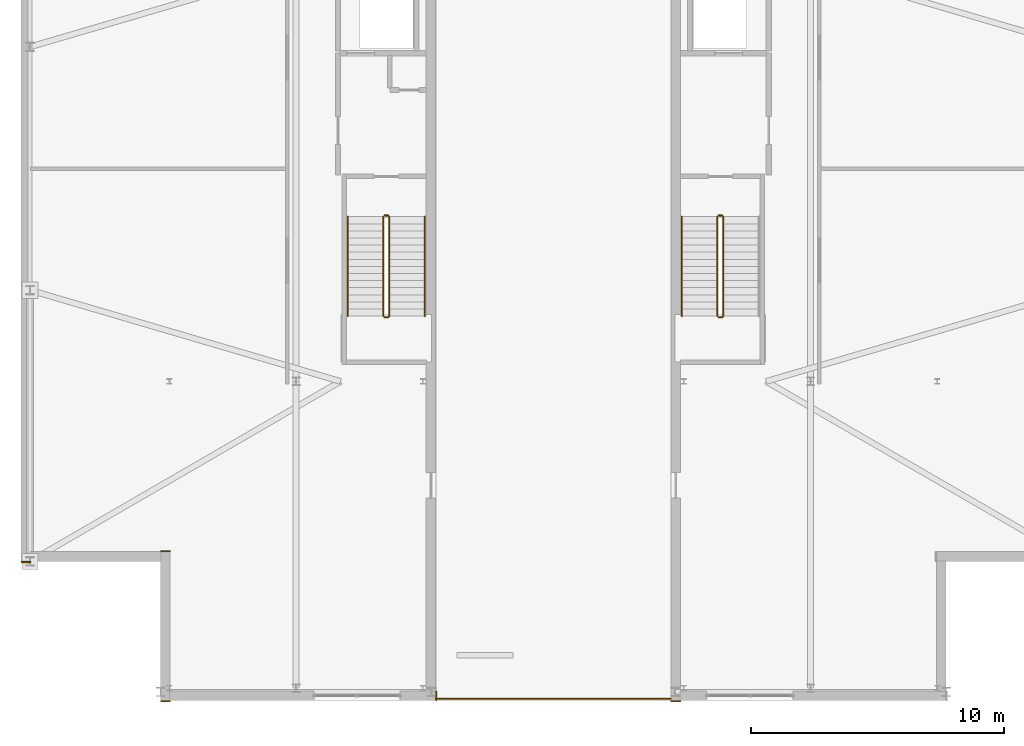
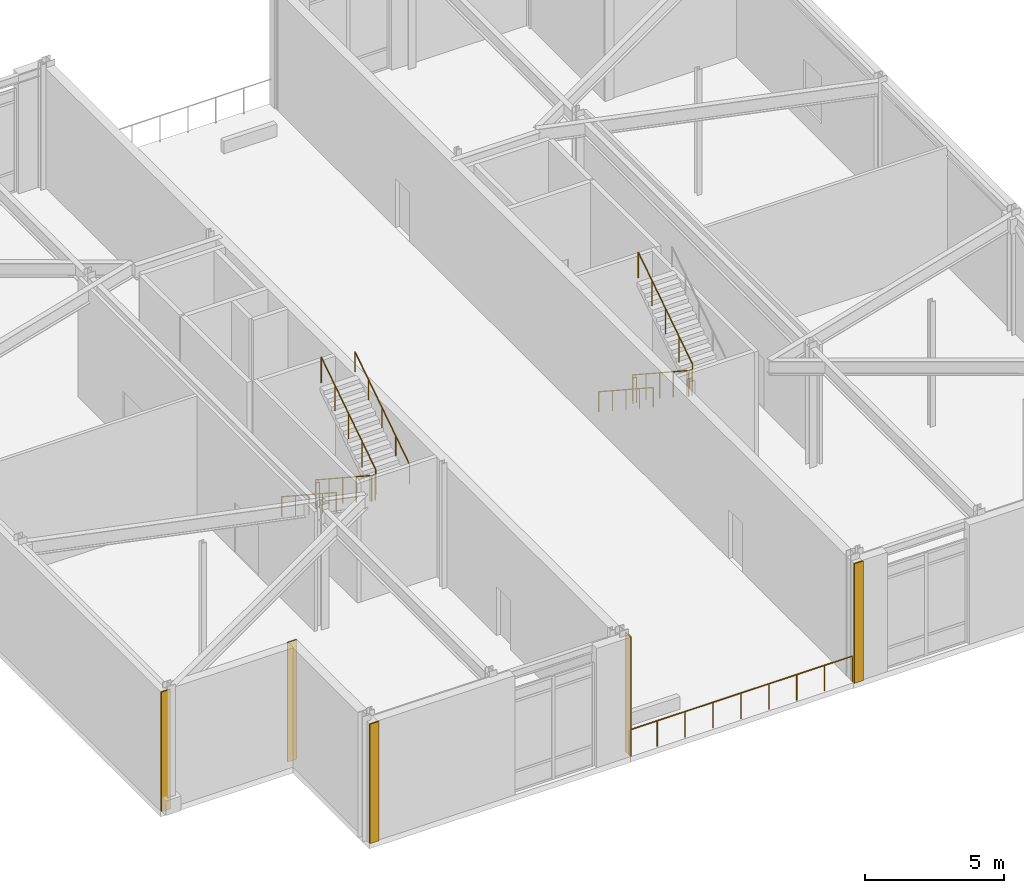
# One storey, part 14 of 16: 12 railings, 5 coverings.
"""IFC4 building model written with IfcOpenShell, lengths in metres."""

from ifc_helpers import new_model, si_unit, direction, frame, frame_2d, origin, origin_2d, place, context, subcontext, project, spatial, rectangle, circle, extrude, material, layer, layer_set, type_object, element, save


model = new_model("IFC4")

# Units and contexts
model_context = context("Model", 3, precision=1e-05, world=origin(), true_north=direction((0.0, 1.0)))
body_context = subcontext(model_context, "Body", "Model", "MODEL_VIEW")
ifc_project = project(units=[si_unit("LENGTHUNIT", "METRE"), si_unit("AREAUNIT", "SQUARE_METRE"), si_unit("VOLUMEUNIT", "CUBIC_METRE"), si_unit("PLANEANGLEUNIT", "RADIAN"), si_unit("MASSUNIT", "GRAM", prefix="KILO")], contexts=[model_context])

# Site, building, storey
site_placement = place(None, origin())
site = spatial("IfcSite", under=ifc_project, at=site_placement, CompositionType="ELEMENT")
building_placement = place(site_placement, origin())
building = spatial("IfcBuilding", under=site, at=building_placement, Name="Cairnveth Concourse Tower", CompositionType="ELEMENT")
storey_placement = place(building_placement, frame((0.0, 0.0, 324.5)))
storey = spatial("IfcBuildingStorey", under=building, at=storey_placement, Name="L89", CompositionType="ELEMENT", Elevation=324.5)

# Coverings
ifc_material_1 = material(Name="Dressed Melbourne Bluestone Cladding", Category="masonry")
ifc_layer = layer(ifc_material_1, 0.050048828125)
ifc_layer_set = layer_set([ifc_layer], Name="Dressed Melbourne Bluestone Cladding")
covering_type = type_object("IfcCoveringType", Name="DRESSED BLUESTONE PLINTH CLADDING 50", PredefinedType="CLADDING", material=ifc_layer_set)
for number, where, z_axis, x_axis, name in (
    (1, (36.8798828125, 17.97998046875, 0.0), (0.0, 0.0, 1.0), (-1.0, 0.0, 0.0), "Melbourne Bluestone Corner Quoin L89-1355"),
    (2, (36.8798828125, 23.89990234375, 0.0), (0.0, 0.0, 1.0), (-1.0, 0.0, 0.0), "Melbourne Bluestone Corner Quoin L89-1356"),
    (3, (31.3798828125, 23.47998046875, 0.0), (0.0, 0.0, 1.0), (-1.0, 0.0, 0.0), "Melbourne Bluestone Corner Quoin L89-1357"),
    (4, (47.3798828125, 18.3798828125, 0.0), (0.0, 0.0, 1.0), (0.0, -1.0, 0.0), "Melbourne Bluestone Corner Quoin L89-1362"),
):
    element("IfcCovering", number, at=place(storey_placement, frame(where, z_axis=z_axis, x_axis=x_axis)), inside=storey, type_object=covering_type, Name=name, PredefinedType="CLADDING", context=body_context, shape_type="SweptSolid", body=[
        extrude(rectangle(XDim=0.3798828125, YDim=0.050048828125, at=frame_2d((0.18994140625, 0.0))), origin(), (0.0, 0.0, 1.0), 5.25),
    ])
covering_placement = place(storey_placement, frame((57.02001953125, 17.97998046875, 0.0), z_axis=(0.0, 0.0, 1.0), x_axis=(-1.0, 0.0, 0.0)))
element("IfcCovering", 5, at=covering_placement, inside=storey, type_object=covering_type, Name="Melbourne Bluestone Corner Quoin L89-1363", PredefinedType="CLADDING", context=body_context, shape_type="SweptSolid", body=[
    extrude(rectangle(XDim=0.380126953125, YDim=0.050048828125, at=frame_2d((0.18994140625, 0.0))), origin(), (0.0, 0.0, 1.0), 5.25),
])

# Railings
ifc_material_2 = material(Name="Steel Grade 350", Category="steel")
railing_type_1 = type_object("IfcRailingType", Name="STAIR GUARDRAIL 1150", PredefinedType="GUARDRAIL", material=ifc_material_2)
railing_1_placement = place(storey_placement, frame((45.2900390625, 37.10009765625, 0.183349609375)))
element("IfcRailing", 6, at=railing_1_placement, inside=storey, type_object=railing_type_1, Name="L89 ST-1 stair guard 1", PredefinedType="GUARDRAIL", context=body_context, shape_type="SweptSolid", body=[
    extrude(circle(Radius=0.02392578125, at=origin_2d()), frame((0.0, 0.0, 1.1259765625), z_axis=(0.0, -0.836630751959, 0.54776727255), x_axis=(1.0, 0.0, 0.0)), (0.0, 0.0, 1.0), 4.685546875),
    extrude(circle(Radius=0.02099609375, at=origin_2d()), origin(), (0.0, 0.0, 1.0), 1.101806640625),
    extrude(circle(Radius=0.02099609375, at=origin_2d()), frame((0.0, -0.97998046875, 0.6416015625)), (0.0, 0.0, 1.0), 1.101806640625),
    extrude(circle(Radius=0.02099609375, at=origin_2d()), frame((0.0, -1.9599609375, 1.283203125)), (0.0, 0.0, 1.0), 1.101806640625),
    extrude(circle(Radius=0.02099609375, at=origin_2d()), frame((0.0, -2.940185546875, 1.925048828125)), (0.0, 0.0, 1.0), 1.101806640625),
    extrude(circle(Radius=0.02099609375, at=origin_2d()), frame((0.0, -3.920166015625, 2.566650390625)), (0.0, 0.0, 1.0), 1.101806640625),
])
railing_2_placement = place(storey_placement, frame((45.340087890625, 33.1298828125, 2.75)))
element("IfcRailing", 7, at=railing_2_placement, inside=storey, type_object=railing_type_1, Name="L89 ST-1 stair guard 2", PredefinedType="GUARDRAIL", context=body_context, shape_type="SweptSolid", body=[
    extrude(circle(Radius=0.02392578125, at=origin_2d()), frame((0.0, 0.0, 1.1259765625), z_axis=(1.0, 0.0, 0.0), x_axis=(0.0, 1.0, 0.0)), (0.0, 0.0, 1.0), 0.139892578125),
    extrude(circle(Radius=0.02099609375, at=origin_2d()), origin(), (0.0, 0.0, 1.0), 1.101806640625),
    extrude(circle(Radius=0.02099609375, at=origin_2d()), frame((0.139892578125, 0.0, 0.0)), (0.0, 0.0, 1.0), 1.101806640625),
])
railing_3_placement = place(storey_placement, frame((45.530029296875, 33.179931640625, 2.933349609375)))
element("IfcRailing", 8, at=railing_3_placement, inside=storey, type_object=railing_type_1, Name="L89 ST-1 stair guard 3", PredefinedType="GUARDRAIL", context=body_context, shape_type="SweptSolid", body=[
    extrude(circle(Radius=0.02392578125, at=origin_2d()), frame((0.0, 0.0, 1.1259765625), z_axis=(0.0, 0.836630751959, 0.54776727255), x_axis=(-1.0, 0.0, 0.0)), (0.0, 0.0, 1.0), 4.685546875),
    extrude(circle(Radius=0.02099609375, at=origin_2d()), origin(), (0.0, 0.0, 1.0), 1.101806640625),
    extrude(circle(Radius=0.02099609375, at=origin_2d()), frame((0.0, 0.97998046875, 0.6416015625)), (0.0, 0.0, 1.0), 1.101806640625),
    extrude(circle(Radius=0.02099609375, at=origin_2d()), frame((0.0, 1.9599609375, 1.283203125)), (0.0, 0.0, 1.0), 1.101806640625),
    extrude(circle(Radius=0.02099609375, at=origin_2d()), frame((0.0, 2.940185546875, 1.925048828125)), (0.0, 0.0, 1.0), 1.101806640625),
    extrude(circle(Radius=0.02099609375, at=origin_2d()), frame((0.0, 3.920166015625, 2.566650390625)), (0.0, 0.0, 1.0), 1.101806640625),
])
railing_4_placement = place(storey_placement, frame((45.340087890625, 37.14990234375, 0.0)))
element("IfcRailing", 9, at=railing_4_placement, inside=storey, type_object=railing_type_1, Name="L89 ST-1 stair guard 4", PredefinedType="GUARDRAIL", context=body_context, shape_type="SweptSolid", body=[
    extrude(circle(Radius=0.02392578125, at=origin_2d()), frame((0.0, 0.0, 1.1259765625), z_axis=(1.0, 0.0, 0.0), x_axis=(0.0, 1.0, 0.0)), (0.0, 0.0, 1.0), 0.139892578125),
    extrude(circle(Radius=0.02099609375, at=origin_2d()), origin(), (0.0, 0.0, 1.0), 1.101806640625),
    extrude(circle(Radius=0.02099609375, at=origin_2d()), frame((0.139892578125, 0.0, 0.0)), (0.0, 0.0, 1.0), 1.101806640625),
])
railing_5_placement = place(storey_placement, frame((58.469970703125, 37.10009765625, 0.183349609375)))
element("IfcRailing", 10, at=railing_5_placement, inside=storey, type_object=railing_type_1, Name="L89 ST-2 stair guard 1", PredefinedType="GUARDRAIL", context=body_context, shape_type="SweptSolid", body=[
    extrude(circle(Radius=0.02392578125, at=origin_2d()), frame((0.0, 0.0, 1.1259765625), z_axis=(0.0, -0.836630751959, 0.54776727255), x_axis=(1.0, 0.0, 0.0)), (0.0, 0.0, 1.0), 4.685546875),
    extrude(circle(Radius=0.02099609375, at=origin_2d()), origin(), (0.0, 0.0, 1.0), 1.101806640625),
    extrude(circle(Radius=0.02099609375, at=origin_2d()), frame((0.0, -0.97998046875, 0.6416015625)), (0.0, 0.0, 1.0), 1.101806640625),
    extrude(circle(Radius=0.02099609375, at=origin_2d()), frame((0.0, -1.9599609375, 1.283203125)), (0.0, 0.0, 1.0), 1.101806640625),
    extrude(circle(Radius=0.02099609375, at=origin_2d()), frame((0.0, -2.940185546875, 1.925048828125)), (0.0, 0.0, 1.0), 1.101806640625),
    extrude(circle(Radius=0.02099609375, at=origin_2d()), frame((0.0, -3.920166015625, 2.566650390625)), (0.0, 0.0, 1.0), 1.101806640625),
])
railing_6_placement = place(storey_placement, frame((58.52001953125, 33.1298828125, 2.75)))
element("IfcRailing", 11, at=railing_6_placement, inside=storey, type_object=railing_type_1, Name="L89 ST-2 stair guard 2", PredefinedType="GUARDRAIL", context=body_context, shape_type="SweptSolid", body=[
    extrude(circle(Radius=0.02392578125, at=origin_2d()), frame((0.0, 0.0, 1.1259765625), z_axis=(1.0, 0.0, 0.0), x_axis=(0.0, 1.0, 0.0)), (0.0, 0.0, 1.0), 0.139892578125),
    extrude(circle(Radius=0.02099609375, at=origin_2d()), origin(), (0.0, 0.0, 1.0), 1.101806640625),
    extrude(circle(Radius=0.02099609375, at=origin_2d()), frame((0.139892578125, 0.0, 0.0)), (0.0, 0.0, 1.0), 1.101806640625),
])
railing_7_placement = place(storey_placement, frame((58.7099609375, 33.179931640625, 2.933349609375)))
element("IfcRailing", 12, at=railing_7_placement, inside=storey, type_object=railing_type_1, Name="L89 ST-2 stair guard 3", PredefinedType="GUARDRAIL", context=body_context, shape_type="SweptSolid", body=[
    extrude(circle(Radius=0.02392578125, at=origin_2d()), frame((0.0, 0.0, 1.1259765625), z_axis=(0.0, 0.836630751959, 0.54776727255), x_axis=(-1.0, 0.0, 0.0)), (0.0, 0.0, 1.0), 4.685546875),
    extrude(circle(Radius=0.02099609375, at=origin_2d()), origin(), (0.0, 0.0, 1.0), 1.101806640625),
    extrude(circle(Radius=0.02099609375, at=origin_2d()), frame((0.0, 0.97998046875, 0.6416015625)), (0.0, 0.0, 1.0), 1.101806640625),
    extrude(circle(Radius=0.02099609375, at=origin_2d()), frame((0.0, 1.9599609375, 1.283203125)), (0.0, 0.0, 1.0), 1.101806640625),
    extrude(circle(Radius=0.02099609375, at=origin_2d()), frame((0.0, 2.940185546875, 1.925048828125)), (0.0, 0.0, 1.0), 1.101806640625),
    extrude(circle(Radius=0.02099609375, at=origin_2d()), frame((0.0, 3.920166015625, 2.566650390625)), (0.0, 0.0, 1.0), 1.101806640625),
])
railing_8_placement = place(storey_placement, frame((58.52001953125, 37.14990234375, 0.0)))
element("IfcRailing", 13, at=railing_8_placement, inside=storey, type_object=railing_type_1, Name="L89 ST-2 stair guard 4", PredefinedType="GUARDRAIL", context=body_context, shape_type="SweptSolid", body=[
    extrude(circle(Radius=0.02392578125, at=origin_2d()), frame((0.0, 0.0, 1.1259765625), z_axis=(1.0, 0.0, 0.0), x_axis=(0.0, 1.0, 0.0)), (0.0, 0.0, 1.0), 0.139892578125),
    extrude(circle(Radius=0.02099609375, at=origin_2d()), origin(), (0.0, 0.0, 1.0), 1.101806640625),
    extrude(circle(Radius=0.02099609375, at=origin_2d()), frame((0.139892578125, 0.0, 0.0)), (0.0, 0.0, 1.0), 1.101806640625),
])
railing_type_2 = type_object("IfcRailingType", Name="STAIR WALL HANDRAIL 900", PredefinedType="HANDRAIL", material=ifc_material_2)
railing_9_placement = place(storey_placement, frame((43.889892578125, 37.10009765625, 0.183349609375)))
element("IfcRailing", 14, at=railing_9_placement, inside=storey, type_object=railing_type_2, Name="L89 ST-1 stair handrail 1", PredefinedType="HANDRAIL", context=body_context, shape_type="SweptSolid", body=[
    extrude(circle(Radius=0.02392578125, at=origin_2d()), frame((0.0, 0.0, 0.8759765625), z_axis=(0.0, -0.836630751959, 0.54776727255), x_axis=(1.0, 0.0, 0.0)), (0.0, 0.0, 1.0), 4.685546875),
    extrude(circle(Radius=0.02099609375, at=origin_2d()), origin(), (0.0, 0.0, 1.0), 0.851806640625),
    extrude(circle(Radius=0.02099609375, at=origin_2d()), frame((0.0, -0.97998046875, 0.6416015625)), (0.0, 0.0, 1.0), 0.851806640625),
    extrude(circle(Radius=0.02099609375, at=origin_2d()), frame((0.0, -1.9599609375, 1.283203125)), (0.0, 0.0, 1.0), 0.851806640625),
    extrude(circle(Radius=0.02099609375, at=origin_2d()), frame((0.0, -2.940185546875, 1.925048828125)), (0.0, 0.0, 1.0), 0.851806640625),
    extrude(circle(Radius=0.02099609375, at=origin_2d()), frame((0.0, -3.920166015625, 2.566650390625)), (0.0, 0.0, 1.0), 0.851806640625),
])
railing_10_placement = place(storey_placement, frame((46.929931640625, 33.179931640625, 2.933349609375)))
element("IfcRailing", 15, at=railing_10_placement, inside=storey, type_object=railing_type_2, Name="L89 ST-1 stair handrail 2", PredefinedType="HANDRAIL", context=body_context, shape_type="SweptSolid", body=[
    extrude(circle(Radius=0.02392578125, at=origin_2d()), frame((0.0, 0.0, 0.8759765625), z_axis=(0.0, 0.836630751959, 0.54776727255), x_axis=(-1.0, 0.0, 0.0)), (0.0, 0.0, 1.0), 4.685546875),
    extrude(circle(Radius=0.02099609375, at=origin_2d()), origin(), (0.0, 0.0, 1.0), 0.851806640625),
    extrude(circle(Radius=0.02099609375, at=origin_2d()), frame((0.0, 0.97998046875, 0.6416015625)), (0.0, 0.0, 1.0), 0.851806640625),
    extrude(circle(Radius=0.02099609375, at=origin_2d()), frame((0.0, 1.9599609375, 1.283203125)), (0.0, 0.0, 1.0), 0.851806640625),
    extrude(circle(Radius=0.02099609375, at=origin_2d()), frame((0.0, 2.940185546875, 1.925048828125)), (0.0, 0.0, 1.0), 0.851806640625),
    extrude(circle(Radius=0.02099609375, at=origin_2d()), frame((0.0, 3.920166015625, 2.566650390625)), (0.0, 0.0, 1.0), 0.851806640625),
])
railing_11_placement = place(storey_placement, frame((57.070068359375, 37.10009765625, 0.183349609375)))
element("IfcRailing", 16, at=railing_11_placement, inside=storey, type_object=railing_type_2, Name="L89 ST-2 stair handrail 1", PredefinedType="HANDRAIL", context=body_context, shape_type="SweptSolid", body=[
    extrude(circle(Radius=0.02392578125, at=origin_2d()), frame((0.0, 0.0, 0.8759765625), z_axis=(0.0, -0.836630751959, 0.54776727255), x_axis=(1.0, 0.0, 0.0)), (0.0, 0.0, 1.0), 4.685546875),
    extrude(circle(Radius=0.02099609375, at=origin_2d()), origin(), (0.0, 0.0, 1.0), 0.851806640625),
    extrude(circle(Radius=0.02099609375, at=origin_2d()), frame((0.0, -0.97998046875, 0.6416015625)), (0.0, 0.0, 1.0), 0.851806640625),
    extrude(circle(Radius=0.02099609375, at=origin_2d()), frame((0.0, -1.9599609375, 1.283203125)), (0.0, 0.0, 1.0), 0.851806640625),
    extrude(circle(Radius=0.02099609375, at=origin_2d()), frame((0.0, -2.940185546875, 1.925048828125)), (0.0, 0.0, 1.0), 0.851806640625),
    extrude(circle(Radius=0.02099609375, at=origin_2d()), frame((0.0, -3.920166015625, 2.566650390625)), (0.0, 0.0, 1.0), 0.851806640625),
])
ifc_material_3 = material(Name="Architectural Bronze Anodised Aluminium 6063-T6", Category="aluminium")
railing_type_3 = type_object("IfcRailingType", Name="TERRACE BRONZE BALUSTRADE 1150", PredefinedType="BALUSTRADE", material=ifc_material_3)
railing_12_placement = place(storey_placement, frame((47.360107421875, 18.080078125, 0.0)))
element("IfcRailing", 17, at=railing_12_placement, inside=storey, type_object=railing_type_3, Name="Terrace Balustrade RL-L89-CLEFT-S", PredefinedType="BALUSTRADE", context=body_context, shape_type="SweptSolid", body=[
    extrude(circle(Radius=0.02490234375, at=origin_2d()), frame((0.0, 0.0, 1.125), z_axis=(1.0, 0.0, 0.0), x_axis=(0.0, 1.0, 0.0)), (0.0, 0.0, 1.0), 9.27978515625),
    extrude(circle(Radius=0.02099609375, at=origin_2d()), origin(), (0.0, 0.0, 1.0), 1.099853515625),
    extrude(circle(Radius=0.02099609375, at=origin_2d()), frame((1.159912109375, 0.0, 0.0)), (0.0, 0.0, 1.0), 1.099853515625),
    extrude(circle(Radius=0.02099609375, at=origin_2d()), frame((2.31982421875, 0.0, 0.0)), (0.0, 0.0, 1.0), 1.099853515625),
    extrude(circle(Radius=0.02099609375, at=origin_2d()), frame((3.47998046875, 0.0, 0.0)), (0.0, 0.0, 1.0), 1.099853515625),
    extrude(circle(Radius=0.02099609375, at=origin_2d()), frame((4.639892578125, 0.0, 0.0)), (0.0, 0.0, 1.0), 1.099853515625),
    extrude(circle(Radius=0.02099609375, at=origin_2d()), frame((5.7998046875, 0.0, 0.0)), (0.0, 0.0, 1.0), 1.099853515625),
    extrude(circle(Radius=0.02099609375, at=origin_2d()), frame((6.9599609375, 0.0, 0.0)), (0.0, 0.0, 1.0), 1.099853515625),
    extrude(circle(Radius=0.02099609375, at=origin_2d()), frame((8.119873046875, 0.0, 0.0)), (0.0, 0.0, 1.0), 1.099853515625),
    extrude(circle(Radius=0.02099609375, at=origin_2d()), frame((9.27978515625, 0.0, 0.0)), (0.0, 0.0, 1.0), 1.099853515625),
])

save(model, "model.ifc")
